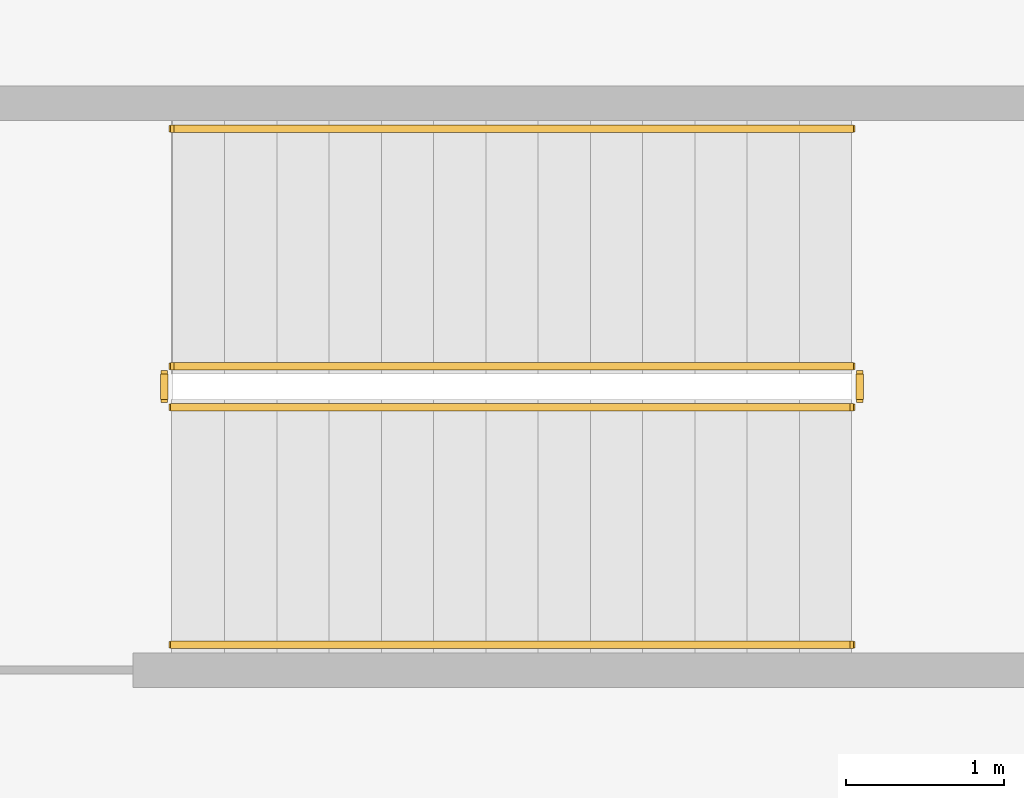
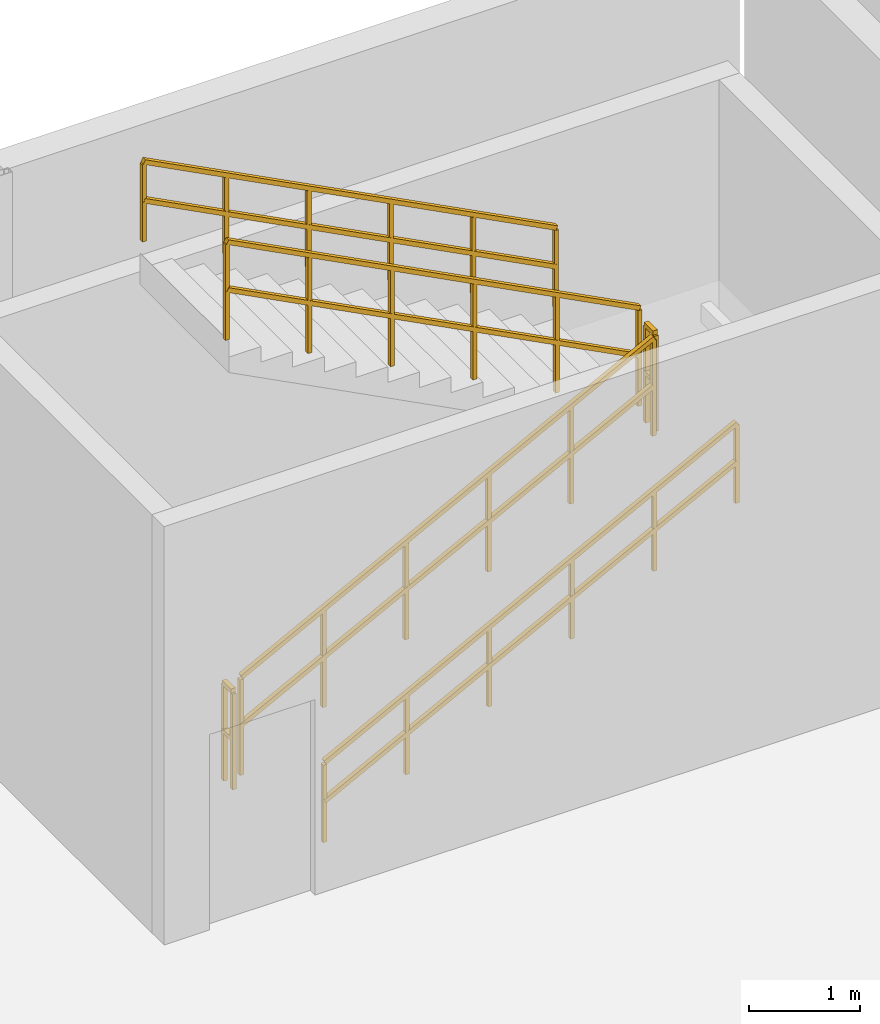
# One storey, part 27 of 28: 6 railings.
"""IFC4 building model written with IfcOpenShell, lengths in metres."""

from ifc_helpers import new_model, si_unit, direction, frame, origin, origin_2d, place, context, subcontext, project, spatial, rectangle, extrude, material, type_object, element, save


model = new_model("IFC4")

# Units and contexts
model_context = context("Model", 3, precision=1e-05, world=origin(), true_north=direction((0.0, 1.0)))
body_context = subcontext(model_context, "Body", "Model", "MODEL_VIEW")
ifc_project = project(units=[si_unit("LENGTHUNIT", "METRE"), si_unit("AREAUNIT", "SQUARE_METRE"), si_unit("VOLUMEUNIT", "CUBIC_METRE"), si_unit("PLANEANGLEUNIT", "RADIAN"), si_unit("MASSUNIT", "GRAM", prefix="KILO")], contexts=[model_context])

# Site, building, storey
site_placement = place(None, origin())
site = spatial("IfcSite", under=ifc_project, at=site_placement, CompositionType="ELEMENT")
building_placement = place(site_placement, origin())
building = spatial("IfcBuilding", under=site, at=building_placement, Name="Ocotamira Hotel", CompositionType="ELEMENT")
storey_placement = place(building_placement, frame((0.0, 0.0, 24.0)))
storey = spatial("IfcBuildingStorey", under=building, at=storey_placement, Name="L05", CompositionType="ELEMENT", Elevation=24.0)

# Railings
ifc_material_1 = material(Name="Brushed stainless steel handrail", Category="steel")
railing_type_1 = type_object("IfcRailingType", Name="RL-HAND-900", PredefinedType="HANDRAIL", material=ifc_material_1)
railing_1_placement = place(storey_placement, frame((56.179931640625, 46.25, 0.3427734375)))
element("IfcRailing", 1, at=railing_1_placement, inside=storey, type_object=railing_type_1, Name="L05 ST-6 stair handrail 1", PredefinedType="HANDRAIL", context=body_context, shape_type="SweptSolid", body=[
    extrude(rectangle(XDim=0.048095703125, YDim=0.048095703125, at=origin_2d()), frame((0.0, 0.0, 0.8759765625), z_axis=(0.887391199149, 0.0, 0.46101720106), x_axis=(0.0, 1.0, 0.0)), (0.0, 0.0, 1.0), 4.83447265625),
    extrude(rectangle(XDim=0.048095703125, YDim=0.048095703125, at=origin_2d()), frame((0.0, 0.0, 0.449951171875), z_axis=(0.887391199149, 0.0, 0.46101720106), x_axis=(0.0, 1.0, 0.0)), (0.0, 0.0, 1.0), 4.83447265625),
    extrude(rectangle(XDim=0.0419921875, YDim=0.0419921875, at=origin_2d()), origin(), (0.0, 0.0, 1.0), 0.851806640625),
    extrude(rectangle(XDim=0.0419921875, YDim=0.0419921875, at=origin_2d()), frame((0.85791015625, 0.0, 0.44580078125)), (0.0, 0.0, 1.0), 0.851806640625),
    extrude(rectangle(XDim=0.0419921875, YDim=0.0419921875, at=origin_2d()), frame((1.716064453125, 0.0, 0.8916015625)), (0.0, 0.0, 1.0), 0.851806640625),
    extrude(rectangle(XDim=0.0419921875, YDim=0.0419921875, at=origin_2d()), frame((2.573974609375, 0.0, 1.337158203125)), (0.0, 0.0, 1.0), 0.851806640625),
    extrude(rectangle(XDim=0.0419921875, YDim=0.0419921875, at=origin_2d()), frame((3.43212890625, 0.0, 1.782958984375)), (0.0, 0.0, 1.0), 0.851806640625),
    extrude(rectangle(XDim=0.0419921875, YDim=0.0419921875, at=origin_2d()), frame((4.2900390625, 0.0, 2.228759765625)), (0.0, 0.0, 1.0), 0.851806640625),
])
railing_2_placement = place(storey_placement, frame((60.469970703125, 49.510009765625, 2.742919921875)))
element("IfcRailing", 2, at=railing_2_placement, inside=storey, type_object=railing_type_1, Name="L05 ST-6 stair handrail 2", PredefinedType="HANDRAIL", context=body_context, shape_type="SweptSolid", body=[
    extrude(rectangle(XDim=0.048095703125, YDim=0.048095703125, at=origin_2d()), frame((0.0, 0.0, 0.8759765625), z_axis=(-0.887411858541, 0.0, 0.46097743255), x_axis=(0.0, -1.0, 0.0)), (0.0, 0.0, 1.0), 4.834228515625),
    extrude(rectangle(XDim=0.048095703125, YDim=0.048095703125, at=origin_2d()), frame((0.0, 0.0, 0.449951171875), z_axis=(-0.887411858541, 0.0, 0.46097743255), x_axis=(0.0, -1.0, 0.0)), (0.0, 0.0, 1.0), 4.834228515625),
    extrude(rectangle(XDim=0.0419921875, YDim=0.0419921875, at=origin_2d()), origin(), (0.0, 0.0, 1.0), 0.851806640625),
    extrude(rectangle(XDim=0.0419921875, YDim=0.0419921875, at=origin_2d()), frame((-0.85791015625, 0.0, 0.44580078125)), (0.0, 0.0, 1.0), 0.851806640625),
    extrude(rectangle(XDim=0.0419921875, YDim=0.0419921875, at=origin_2d()), frame((-1.716064453125, 0.0, 0.891357421875)), (0.0, 0.0, 1.0), 0.851806640625),
    extrude(rectangle(XDim=0.0419921875, YDim=0.0419921875, at=origin_2d()), frame((-2.573974609375, 0.0, 1.337158203125)), (0.0, 0.0, 1.0), 0.851806640625),
    extrude(rectangle(XDim=0.0419921875, YDim=0.0419921875, at=origin_2d()), frame((-3.43212890625, 0.0, 1.78271484375)), (0.0, 0.0, 1.0), 0.851806640625),
    extrude(rectangle(XDim=0.0419921875, YDim=0.0419921875, at=origin_2d()), frame((-4.2900390625, 0.0, 2.228515625)), (0.0, 0.0, 1.0), 0.851806640625),
])
ifc_material_2 = material(Name="Painted steel stair guardrail", Category="steel")
railing_type_2 = type_object("IfcRailingType", Name="RL-STAIR-1100", PredefinedType="GUARDRAIL", material=ifc_material_2)
railing_3_placement = place(storey_placement, frame((56.179931640625, 47.75, 0.17138671875)))
element("IfcRailing", 3, at=railing_3_placement, inside=storey, type_object=railing_type_2, Name="L05 ST-6 stair guard 1", PredefinedType="GUARDRAIL", context=body_context, shape_type="SweptSolid", body=[
    extrude(rectangle(XDim=0.048095703125, YDim=0.048095703125, at=origin_2d()), frame((0.0, 0.0, 1.076171875), z_axis=(0.887411858541, 0.0, 0.46097743255), x_axis=(0.0, 1.0, 0.0)), (0.0, 0.0, 1.0), 4.834228515625),
    extrude(rectangle(XDim=0.048095703125, YDim=0.048095703125, at=origin_2d()), frame((0.0, 0.0, 0.550048828125), z_axis=(0.887411858541, 0.0, 0.46097743255), x_axis=(0.0, 1.0, 0.0)), (0.0, 0.0, 1.0), 4.834228515625),
    extrude(rectangle(XDim=0.0419921875, YDim=0.0419921875, at=origin_2d()), origin(), (0.0, 0.0, 1.0), 1.052001953125),
    extrude(rectangle(XDim=0.0419921875, YDim=0.0419921875, at=origin_2d()), frame((0.85791015625, 0.0, 0.44580078125)), (0.0, 0.0, 1.0), 1.052001953125),
    extrude(rectangle(XDim=0.0419921875, YDim=0.0419921875, at=origin_2d()), frame((1.716064453125, 0.0, 0.891357421875)), (0.0, 0.0, 1.0), 1.052001953125),
    extrude(rectangle(XDim=0.0419921875, YDim=0.0419921875, at=origin_2d()), frame((2.573974609375, 0.0, 1.337158203125)), (0.0, 0.0, 1.0), 1.052001953125),
    extrude(rectangle(XDim=0.0419921875, YDim=0.0419921875, at=origin_2d()), frame((3.43212890625, 0.0, 1.78271484375)), (0.0, 0.0, 1.0), 1.052001953125),
    extrude(rectangle(XDim=0.0419921875, YDim=0.0419921875, at=origin_2d()), frame((4.2900390625, 0.0, 2.228515625)), (0.0, 0.0, 1.0), 1.052001953125),
])
railing_4_placement = place(storey_placement, frame((60.52001953125, 47.800048828125, 2.39990234375)))
element("IfcRailing", 4, at=railing_4_placement, inside=storey, type_object=railing_type_2, Name="L05 ST-6 stair guard 2", PredefinedType="GUARDRAIL", context=body_context, shape_type="SweptSolid", body=[
    extrude(rectangle(XDim=0.048095703125, YDim=0.048095703125, at=origin_2d()), frame((0.0, 0.0, 1.076171875), z_axis=(0.0, 1.0, 0.0), x_axis=(-1.0, 0.0, 0.0)), (0.0, 0.0, 1.0), 0.159912109375),
    extrude(rectangle(XDim=0.048095703125, YDim=0.048095703125, at=origin_2d()), frame((0.0, 0.0, 0.550048828125), z_axis=(0.0, 1.0, 0.0), x_axis=(-1.0, 0.0, 0.0)), (0.0, 0.0, 1.0), 0.159912109375),
    extrude(rectangle(XDim=0.0419921875, YDim=0.0419921875, at=origin_2d()), origin(), (0.0, 0.0, 1.0), 1.052001953125),
    extrude(rectangle(XDim=0.0419921875, YDim=0.0419921875, at=origin_2d()), frame((0.0, 0.159912109375, 0.0)), (0.0, 0.0, 1.0), 1.052001953125),
])
railing_5_placement = place(storey_placement, frame((60.469970703125, 48.010009765625, 2.571533203125)))
element("IfcRailing", 5, at=railing_5_placement, inside=storey, type_object=railing_type_2, Name="L05 ST-6 stair guard 3", PredefinedType="GUARDRAIL", context=body_context, shape_type="SweptSolid", body=[
    extrude(rectangle(XDim=0.048095703125, YDim=0.048095703125, at=origin_2d()), frame((0.0, 0.0, 1.076171875), z_axis=(-0.887411858541, 0.0, 0.46097743255), x_axis=(0.0, -1.0, 0.0)), (0.0, 0.0, 1.0), 4.834228515625),
    extrude(rectangle(XDim=0.048095703125, YDim=0.048095703125, at=origin_2d()), frame((0.0, 0.0, 0.550048828125), z_axis=(-0.887411858541, 0.0, 0.46097743255), x_axis=(0.0, -1.0, 0.0)), (0.0, 0.0, 1.0), 4.834228515625),
    extrude(rectangle(XDim=0.0419921875, YDim=0.0419921875, at=origin_2d()), origin(), (0.0, 0.0, 1.0), 1.052001953125),
    extrude(rectangle(XDim=0.0419921875, YDim=0.0419921875, at=origin_2d()), frame((-0.85791015625, 0.0, 0.44580078125)), (0.0, 0.0, 1.0), 1.052001953125),
    extrude(rectangle(XDim=0.0419921875, YDim=0.0419921875, at=origin_2d()), frame((-1.716064453125, 0.0, 0.891357421875)), (0.0, 0.0, 1.0), 1.052001953125),
    extrude(rectangle(XDim=0.0419921875, YDim=0.0419921875, at=origin_2d()), frame((-2.573974609375, 0.0, 1.337158203125)), (0.0, 0.0, 1.0), 1.052001953125),
    extrude(rectangle(XDim=0.0419921875, YDim=0.0419921875, at=origin_2d()), frame((-3.43212890625, 0.0, 1.78271484375)), (0.0, 0.0, 1.0), 1.052001953125),
    extrude(rectangle(XDim=0.0419921875, YDim=0.0419921875, at=origin_2d()), frame((-4.2900390625, 0.0, 2.228515625)), (0.0, 0.0, 1.0), 1.052001953125),
])
railing_6_placement = place(storey_placement, frame((56.1298828125, 47.800048828125, 0.0)))
element("IfcRailing", 6, at=railing_6_placement, inside=storey, type_object=railing_type_2, Name="L05 ST-6 stair guard 4", PredefinedType="GUARDRAIL", context=body_context, shape_type="SweptSolid", body=[
    extrude(rectangle(XDim=0.048095703125, YDim=0.048095703125, at=origin_2d()), frame((0.0, 0.0, 1.076171875), z_axis=(0.0, 1.0, 0.0), x_axis=(-1.0, 0.0, 0.0)), (0.0, 0.0, 1.0), 0.159912109375),
    extrude(rectangle(XDim=0.048095703125, YDim=0.048095703125, at=origin_2d()), frame((0.0, 0.0, 0.550048828125), z_axis=(0.0, 1.0, 0.0), x_axis=(-1.0, 0.0, 0.0)), (0.0, 0.0, 1.0), 0.159912109375),
    extrude(rectangle(XDim=0.0419921875, YDim=0.0419921875, at=origin_2d()), origin(), (0.0, 0.0, 1.0), 1.052001953125),
    extrude(rectangle(XDim=0.0419921875, YDim=0.0419921875, at=origin_2d()), frame((0.0, 0.159912109375, 0.0)), (0.0, 0.0, 1.0), 1.052001953125),
])

save(model, "model.ifc")
